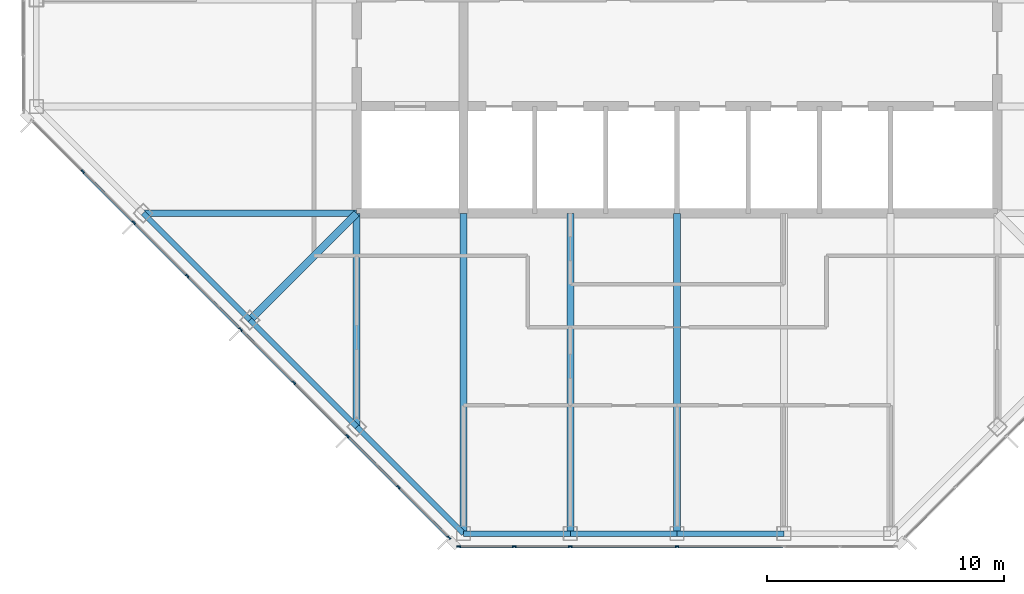
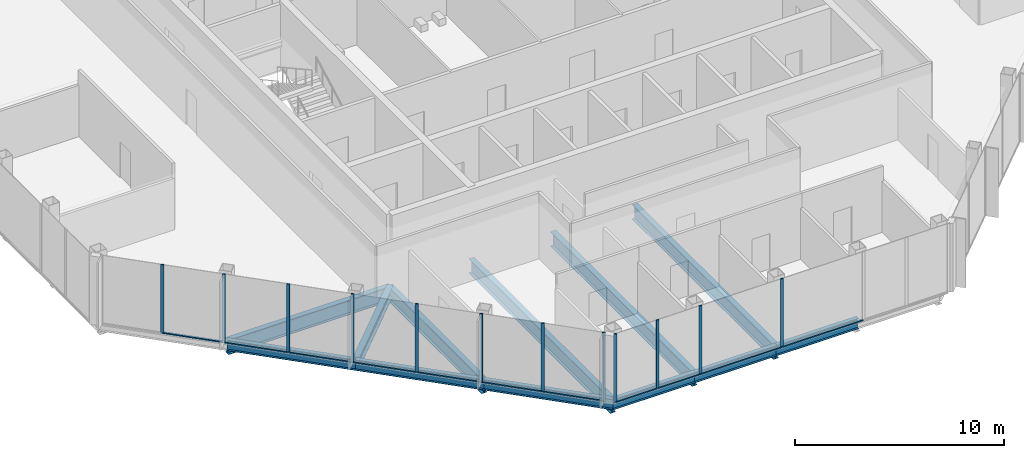
# One storey, part 2 of 13: 23 members, 12 beams, 2 elements without a shape of their own.
"""IFC4 building model written with IfcOpenShell, lengths in metres."""

from ifc_helpers import new_model, si_unit, direction, frame, origin, origin_2d, place, context, subcontext, project, spatial, rectangle, i_section, extrude, material, material_profile, profile_set, type_object, element, aggregate, save


model = new_model("IFC4")

# Units and contexts
model_context = context("Model", 3, precision=1e-05, world=origin(), true_north=direction((0.0, 1.0)))
body_context = subcontext(model_context, "Body", "Model", "MODEL_VIEW")
ifc_project = project(units=[si_unit("LENGTHUNIT", "METRE"), si_unit("AREAUNIT", "SQUARE_METRE"), si_unit("VOLUMEUNIT", "CUBIC_METRE"), si_unit("PLANEANGLEUNIT", "RADIAN"), si_unit("MASSUNIT", "GRAM", prefix="KILO")], contexts=[model_context])

# Site, building, storey
site_placement = place(None, origin())
site = spatial("IfcSite", under=ifc_project, at=site_placement, CompositionType="ELEMENT")
building_placement = place(site_placement, origin())
building = spatial("IfcBuilding", under=site, at=building_placement, Name="Corais Broadcast Tower", CompositionType="ELEMENT")
storey_placement = place(building_placement, frame((0.0, 0.0, 270.60009765625)))
storey = spatial("IfcBuildingStorey", under=building, at=storey_placement, Name="L63", CompositionType="ELEMENT", Elevation=270.60009765625)

# Beams
ifc_material_1 = material(Name="Steel ASTM A572 Grade 50", Category="steel")
ifc_material_profile_1 = material_profile(ifc_material_1, i_section(OverallWidth=0.323974609375, OverallDepth=0.611083984375, WebThickness=0.0126953125, FlangeThickness=0.01904296875, at=origin_2d()), Name="W610x155")
ifc_profile_set_1 = profile_set([ifc_material_profile_1], Name="Steel ASTM A572 Grade 50")
beam_type_1 = type_object("IfcBeamType", Name="Corner diagonal W610x155", PredefinedType="BEAM", material=ifc_profile_set_1)
beam_1_placement = place(storey_placement, frame((9.0, 9.0, -0.465576171875), z_axis=(0.707106781187, 0.707106781187, 0.0), x_axis=(-0.707106781187, 0.707106781187, 0.0)))
element("IfcBeam", 1, at=beam_1_placement, inside=storey, type_object=beam_type_1, Name="B6 C/5 to D/6", PredefinedType="BEAM", context=body_context, shape_type="SweptSolid", body=[
    extrude(i_section(OverallWidth=0.323974609375, OverallDepth=0.611083984375, WebThickness=0.0126953125, FlangeThickness=0.01904296875, at=origin_2d()), origin(), (0.0, 0.0, 1.0), 6.364013671875),
])
ifc_material_2 = material(Name="Steel ASTM A572 Grade 50", Category="steel")
ifc_material_profile_2 = material_profile(ifc_material_2, i_section(OverallWidth=0.2939453125, OverallDepth=0.85107421875, WebThickness=0.01611328125, FlangeThickness=0.02685546875, at=origin_2d()), Name="W840x226")
ifc_profile_set_2 = profile_set([ifc_material_profile_2], Name="Steel ASTM A572 Grade 50")
beam_type_2 = type_object("IfcBeamType", Name="Floor beam W840x226", PredefinedType="BEAM", material=ifc_profile_set_2)
beam_2_placement = place(storey_placement, frame((13.5, 4.5, -0.585693359375), z_axis=(0.0, 1.0, 0.0), x_axis=(-1.0, 0.0, 0.0)))
element("IfcBeam", 2, at=beam_2_placement, inside=storey, type_object=beam_type_2, Name="B1 B/6 to D/6", PredefinedType="BEAM", context=body_context, shape_type="SweptSolid", body=[
    extrude(i_section(OverallWidth=0.2939453125, OverallDepth=0.85107421875, WebThickness=0.01611328125, FlangeThickness=0.02685546875, at=origin_2d()), origin(), (0.0, 0.0, 1.0), 9.0),
])
for number, where, z_axis, x_axis, name in (
    (3, (18.0, 0.0, -0.585693359375), (0.0, 1.0, 0.0), (-1.0, 0.0, 0.0), "B1 A/7 to D/7"),
    (4, (22.5, 0.0, -0.585693359375), (0.0, 1.0, 0.0), (-1.0, 0.0, 0.0), "B1 A/8 to D/8"),
    (5, (27.0, 0.0, -0.585693359375), (0.0, 1.0, 0.0), (-1.0, 0.0, 0.0), "B1 A/9 to D/9"),
):
    element("IfcBeam", number, at=place(storey_placement, frame(where, z_axis=z_axis, x_axis=x_axis)), inside=storey, type_object=beam_type_2, Name=name, PredefinedType="BEAM", context=body_context, shape_type="SweptSolid", body=[
        extrude(i_section(OverallWidth=0.2939453125, OverallDepth=0.85107421875, WebThickness=0.01611328125, FlangeThickness=0.02685546875, at=origin_2d()), origin(), (0.0, 0.0, 1.0), 13.5),
    ])
beam_3_placement = place(storey_placement, frame((4.5, 13.5, -0.585693359375), z_axis=(1.0, 0.0, 0.0), x_axis=(0.0, 1.0, 0.0)))
element("IfcBeam", 6, at=beam_3_placement, inside=storey, type_object=beam_type_2, Name="B1 D/4 to D/6", PredefinedType="BEAM", context=body_context, shape_type="SweptSolid", body=[
    extrude(i_section(OverallWidth=0.2939453125, OverallDepth=0.85107421875, WebThickness=0.01611328125, FlangeThickness=0.02685546875, at=origin_2d()), origin(), (0.0, 0.0, 1.0), 9.0),
])

# Curtain wall, members
ifc_material_3 = material(Name="Aluminium and glass", Category="aluminium")
curtain_wall_type = type_object("IfcCurtainWallType", Name="Unitised fritted curtain wall CW3", PredefinedType="NOTDEFINED", material=ifc_material_3)
curtain_wall_1_placement = place(storey_placement, origin())
curtain_wall_1 = element("IfcCurtainWall", 7, at=curtain_wall_1_placement, inside=storey, type_object=curtain_wall_type, Name="CW3 curtain wall L63 1", PredefinedType="NOTDEFINED")
ifc_material_4 = material(Name="Aluminium 6063-T6", Category="aluminium")
ifc_material_profile_3 = material_profile(ifc_material_4, rectangle(XDim=0.06494140625, YDim=0.159912109375, at=origin_2d()), Name="Mullion CW3 65x160")
ifc_profile_set_3 = profile_set([ifc_material_profile_3], Name="Aluminium 6063-T6")
member_type_1 = type_object("IfcMemberType", Name="Mullion CW3 65x160", PredefinedType="MULLION", material=ifc_profile_set_3)
member_1_placement = place(storey_placement, frame((17.3955078125, -0.17333984375, 0.0), z_axis=(0.0, 0.0, 1.0), x_axis=(-0.707106781187, -0.707106781187, 0.0)))
member_1 = element("IfcMember", 8, at=member_1_placement, type_object=member_type_1, Name="CW3 mullion 1", PredefinedType="MULLION", context=body_context, shape_type="SweptSolid", body=[
    extrude(rectangle(XDim=0.06494140625, YDim=0.159912109375, at=origin_2d()), origin(), (0.0, 0.0, 1.0), 4.0),
])
member_2_placement = place(storey_placement, frame((15.264892578125, 1.957275390625, 0.0), z_axis=(0.0, 0.0, 1.0), x_axis=(-0.707106781187, -0.707106781187, 0.0)))
member_2 = element("IfcMember", 9, at=member_2_placement, type_object=member_type_1, Name="CW3 mullion 2", PredefinedType="MULLION", context=body_context, shape_type="SweptSolid", body=[
    extrude(rectangle(XDim=0.06494140625, YDim=0.159912109375, at=origin_2d()), origin(), (0.0, 0.0, 1.0), 4.0),
])
member_3_placement = place(storey_placement, frame((13.111083984375, 4.111083984375, 0.0), z_axis=(0.0, 0.0, 1.0), x_axis=(-0.707106781187, -0.707106781187, 0.0)))
member_3 = element("IfcMember", 10, at=member_3_placement, type_object=member_type_1, Name="CW3 mullion 3", PredefinedType="MULLION", context=body_context, shape_type="SweptSolid", body=[
    extrude(rectangle(XDim=0.06494140625, YDim=0.159912109375, at=origin_2d()), origin(), (0.0, 0.0, 1.0), 4.0),
])
member_4_placement = place(storey_placement, frame((10.861083984375, 6.361083984375, 0.0), z_axis=(0.0, 0.0, 1.0), x_axis=(-0.707106781187, -0.707106781187, 0.0)))
member_4 = element("IfcMember", 11, at=member_4_placement, type_object=member_type_1, Name="CW3 mullion 4", PredefinedType="MULLION", context=body_context, shape_type="SweptSolid", body=[
    extrude(rectangle(XDim=0.06494140625, YDim=0.159912109375, at=origin_2d()), origin(), (0.0, 0.0, 1.0), 4.0),
])
member_5_placement = place(storey_placement, frame((8.611083984375, 8.611083984375, 0.0), z_axis=(0.0, 0.0, 1.0), x_axis=(-0.707106781187, -0.707106781187, 0.0)))
member_5 = element("IfcMember", 12, at=member_5_placement, type_object=member_type_1, Name="CW3 mullion 5", PredefinedType="MULLION", context=body_context, shape_type="SweptSolid", body=[
    extrude(rectangle(XDim=0.06494140625, YDim=0.159912109375, at=origin_2d()), origin(), (0.0, 0.0, 1.0), 4.0),
])
member_6_placement = place(storey_placement, frame((6.361083984375, 10.861083984375, 0.0), z_axis=(0.0, 0.0, 1.0), x_axis=(-0.707106781187, -0.707106781187, 0.0)))
member_6 = element("IfcMember", 13, at=member_6_placement, type_object=member_type_1, Name="CW3 mullion 6", PredefinedType="MULLION", context=body_context, shape_type="SweptSolid", body=[
    extrude(rectangle(XDim=0.06494140625, YDim=0.159912109375, at=origin_2d()), origin(), (0.0, 0.0, 1.0), 4.0),
])
member_7_placement = place(storey_placement, frame((4.111083984375, 13.111083984375, 0.0), z_axis=(0.0, 0.0, 1.0), x_axis=(-0.707106781187, -0.707106781187, 0.0)))
member_7 = element("IfcMember", 14, at=member_7_placement, type_object=member_type_1, Name="CW3 mullion 7", PredefinedType="MULLION", context=body_context, shape_type="SweptSolid", body=[
    extrude(rectangle(XDim=0.06494140625, YDim=0.159912109375, at=origin_2d()), origin(), (0.0, 0.0, 1.0), 4.0),
])
member_8_placement = place(storey_placement, frame((1.957275390625, 15.264892578125, 0.0), z_axis=(0.0, 0.0, 1.0), x_axis=(-0.707106781187, -0.707106781187, 0.0)))
member_8 = element("IfcMember", 15, at=member_8_placement, type_object=member_type_1, Name="CW3 mullion 8", PredefinedType="MULLION", context=body_context, shape_type="SweptSolid", body=[
    extrude(rectangle(XDim=0.06494140625, YDim=0.159912109375, at=origin_2d()), origin(), (0.0, 0.0, 1.0), 4.0),
])

curtain_wall_2_placement = place(storey_placement, origin())
curtain_wall_2 = element("IfcCurtainWall", 16, at=curtain_wall_2_placement, inside=storey, type_object=curtain_wall_type, Name="CW3 curtain wall L63 8", PredefinedType="NOTDEFINED")
member_9_placement = place(storey_placement, frame((27.0, -0.550048828125, 0.0), z_axis=(0.0, 0.0, 1.0), x_axis=(0.0, -1.0, 0.0)))
member_9 = element("IfcMember", 17, at=member_9_placement, type_object=member_type_1, Name="CW3 mullion 4", PredefinedType="MULLION", context=body_context, shape_type="SweptSolid", body=[
    extrude(rectangle(XDim=0.06494140625, YDim=0.159912109375, at=origin_2d()), origin(), (0.0, 0.0, 1.0), 4.0),
])
member_10_placement = place(storey_placement, frame((22.5, -0.550048828125, 0.0), z_axis=(0.0, 0.0, 1.0), x_axis=(0.0, -1.0, 0.0)))
member_10 = element("IfcMember", 18, at=member_10_placement, type_object=member_type_1, Name="CW3 mullion 5", PredefinedType="MULLION", context=body_context, shape_type="SweptSolid", body=[
    extrude(rectangle(XDim=0.06494140625, YDim=0.159912109375, at=origin_2d()), origin(), (0.0, 0.0, 1.0), 4.0),
])
member_11_placement = place(storey_placement, frame((20.135986328125, -0.550048828125, 0.0), z_axis=(0.0, 0.0, 1.0), x_axis=(0.0, -1.0, 0.0)))
member_11 = element("IfcMember", 19, at=member_11_placement, type_object=member_type_1, Name="CW3 mullion 6", PredefinedType="MULLION", context=body_context, shape_type="SweptSolid", body=[
    extrude(rectangle(XDim=0.06494140625, YDim=0.159912109375, at=origin_2d()), origin(), (0.0, 0.0, 1.0), 4.0),
])
member_12_placement = place(storey_placement, frame((17.8046875, -0.550048828125, 0.0), z_axis=(0.0, 0.0, 1.0), x_axis=(0.0, -1.0, 0.0)))
member_12 = element("IfcMember", 20, at=member_12_placement, type_object=member_type_1, Name="CW3 mullion 7", PredefinedType="MULLION", context=body_context, shape_type="SweptSolid", body=[
    extrude(rectangle(XDim=0.06494140625, YDim=0.159912109375, at=origin_2d()), origin(), (0.0, 0.0, 1.0), 4.0),
])

# Beams
ifc_material_5 = material(Name="Steel ASTM A572 Grade 50", Category="steel")
ifc_material_profile_4 = material_profile(ifc_material_5, i_section(OverallWidth=0.22998046875, OverallDepth=0.616943359375, WebThickness=0.01318359375, FlangeThickness=0.022216796875, at=origin_2d()), Name="W610x140")
ifc_profile_set_4 = profile_set([ifc_material_profile_4], Name="Steel ASTM A572 Grade 50")
beam_type_3 = type_object("IfcBeamType", Name="Spandrel W610x140", PredefinedType="BEAM", material=ifc_profile_set_4)
beam_4_placement = place(storey_placement, frame((13.5, 4.5, -0.468505859375), z_axis=(0.707106781187, -0.707106781187, 0.0), x_axis=(0.707106781187, 0.707106781187, 0.0)))
element("IfcBeam", 21, at=beam_4_placement, inside=storey, type_object=beam_type_3, Name="SB3 B/6 to A/7", PredefinedType="BEAM", context=body_context, shape_type="SweptSolid", body=[
    extrude(i_section(OverallWidth=0.22998046875, OverallDepth=0.616943359375, WebThickness=0.01318359375, FlangeThickness=0.022216796875, at=origin_2d()), origin(), (0.0, 0.0, 1.0), 6.364013671875),
])
for number, where, z_axis, x_axis, name in (
    (22, (18.0, 0.0, -0.468505859375), (1.0, 0.0, 0.0), (0.0, 1.0, 0.0), "SB3 A/7 to A/8"),
    (23, (22.5, 0.0, -0.468505859375), (1.0, 0.0, 0.0), (0.0, 1.0, 0.0), "SB3 A/8 to A/9"),
    (24, (27.0, 0.0, -0.468505859375), (1.0, 0.0, 0.0), (0.0, 1.0, 0.0), "SB3 A/9 to A/10"),
):
    element("IfcBeam", number, at=place(storey_placement, frame(where, z_axis=z_axis, x_axis=x_axis)), inside=storey, type_object=beam_type_3, Name=name, PredefinedType="BEAM", context=body_context, shape_type="SweptSolid", body=[
        extrude(i_section(OverallWidth=0.22998046875, OverallDepth=0.616943359375, WebThickness=0.01318359375, FlangeThickness=0.022216796875, at=origin_2d()), origin(), (0.0, 0.0, 1.0), 4.5),
    ])
for number, where, z_axis, x_axis, name in (
    (25, (4.5, 13.5, -0.468505859375), (0.707106781187, -0.707106781187, 0.0), (0.707106781187, 0.707106781187, 0.0), "SB3 D/4 to C/5"),
    (26, (9.0, 9.0, -0.468505859375), (0.707106781187, -0.707106781187, 0.0), (0.707106781187, 0.707106781187, 0.0), "SB3 C/5 to B/6"),
):
    element("IfcBeam", number, at=place(storey_placement, frame(where, z_axis=z_axis, x_axis=x_axis)), inside=storey, type_object=beam_type_3, Name=name, PredefinedType="BEAM", context=body_context, shape_type="SweptSolid", body=[
        extrude(i_section(OverallWidth=0.22998046875, OverallDepth=0.616943359375, WebThickness=0.01318359375, FlangeThickness=0.022216796875, at=origin_2d()), origin(), (0.0, 0.0, 1.0), 6.364013671875),
    ])

# Member
ifc_material_6 = material(Name="Aluminium 6063-T6", Category="aluminium")
ifc_material_profile_5 = material_profile(ifc_material_6, rectangle(XDim=0.1201171875, YDim=0.06494140625, at=origin_2d()), Name="Transom CW3 65x120")
ifc_profile_set_5 = profile_set([ifc_material_profile_5], Name="Aluminium 6063-T6")
member_type_2 = type_object("IfcMemberType", Name="Transom CW3 65x120", PredefinedType="USERDEFINED", material=ifc_profile_set_5)
member_13_placement = place(storey_placement, frame((17.37255859375, -0.150390625, 0.032470703125), z_axis=(-0.707106781187, 0.707106781187, 0.0), x_axis=(-0.707106781187, -0.707106781187, 0.0)))
member_13 = element("IfcMember", 27, at=member_13_placement, type_object=member_type_2, Name="CW3 transom 1.1", ObjectType="TRANSOM", PredefinedType="USERDEFINED", context=body_context, shape_type="SweptSolid", body=[
    extrude(rectangle(XDim=0.1201171875, YDim=0.06494140625, at=origin_2d()), origin(), (0.0, 0.0, 1.0), 2.9482421875),
])

member_14_placement = place(storey_placement, frame((15.241943359375, 1.980224609375, 0.032470703125), z_axis=(-0.707106781187, 0.707106781187, 0.0), x_axis=(-0.707106781187, -0.707106781187, 0.0)))
member_14 = element("IfcMember", 28, at=member_14_placement, type_object=member_type_2, Name="CW3 transom 2.1", ObjectType="TRANSOM", PredefinedType="USERDEFINED", context=body_context, shape_type="SweptSolid", body=[
    extrude(rectangle(XDim=0.1201171875, YDim=0.06494140625, at=origin_2d()), origin(), (0.0, 0.0, 1.0), 2.98095703125),
])

member_15_placement = place(storey_placement, frame((13.088134765625, 4.134033203125, 0.032470703125), z_axis=(-0.707106781187, 0.707106781187, 0.0), x_axis=(-0.707106781187, -0.707106781187, 0.0)))
member_15 = element("IfcMember", 29, at=member_15_placement, type_object=member_type_2, Name="CW3 transom 3.1", ObjectType="TRANSOM", PredefinedType="USERDEFINED", context=body_context, shape_type="SweptSolid", body=[
    extrude(rectangle(XDim=0.1201171875, YDim=0.06494140625, at=origin_2d()), origin(), (0.0, 0.0, 1.0), 3.1171875),
])

member_16_placement = place(storey_placement, frame((10.838134765625, 6.384033203125, 0.032470703125), z_axis=(-0.707106781187, 0.707106781187, 0.0), x_axis=(-0.707106781187, -0.707106781187, 0.0)))
member_16 = element("IfcMember", 30, at=member_16_placement, type_object=member_type_2, Name="CW3 transom 4.1", ObjectType="TRANSOM", PredefinedType="USERDEFINED", context=body_context, shape_type="SweptSolid", body=[
    extrude(rectangle(XDim=0.1201171875, YDim=0.06494140625, at=origin_2d()), origin(), (0.0, 0.0, 1.0), 3.1171875),
])

member_17_placement = place(storey_placement, frame((8.588134765625, 8.634033203125, 0.032470703125), z_axis=(-0.707106781187, 0.707106781187, 0.0), x_axis=(-0.707106781187, -0.707106781187, 0.0)))
member_17 = element("IfcMember", 31, at=member_17_placement, type_object=member_type_2, Name="CW3 transom 5.1", ObjectType="TRANSOM", PredefinedType="USERDEFINED", context=body_context, shape_type="SweptSolid", body=[
    extrude(rectangle(XDim=0.1201171875, YDim=0.06494140625, at=origin_2d()), origin(), (0.0, 0.0, 1.0), 3.1171875),
])

member_18_placement = place(storey_placement, frame((6.338134765625, 10.884033203125, 0.032470703125), z_axis=(-0.707106781187, 0.707106781187, 0.0), x_axis=(-0.707106781187, -0.707106781187, 0.0)))
member_18 = element("IfcMember", 32, at=member_18_placement, type_object=member_type_2, Name="CW3 transom 6.1", ObjectType="TRANSOM", PredefinedType="USERDEFINED", context=body_context, shape_type="SweptSolid", body=[
    extrude(rectangle(XDim=0.1201171875, YDim=0.06494140625, at=origin_2d()), origin(), (0.0, 0.0, 1.0), 3.1171875),
])

member_19_placement = place(storey_placement, frame((4.088134765625, 13.134033203125, 0.032470703125), z_axis=(-0.707065828661, 0.70714773134, 0.0), x_axis=(-0.70714773134, -0.707065828661, 0.0)))
member_19 = element("IfcMember", 33, at=member_19_placement, type_object=member_type_2, Name="CW3 transom 7.1", ObjectType="TRANSOM", PredefinedType="USERDEFINED", context=body_context, shape_type="SweptSolid", body=[
    extrude(rectangle(XDim=0.1201171875, YDim=0.06494140625, at=origin_2d()), origin(), (0.0, 0.0, 1.0), 2.98095703125),
])

aggregate(curtain_wall_1, [member_1, member_2, member_3, member_4, member_5, member_6, member_7, member_8, member_13, member_14, member_15, member_16, member_17, member_18, member_19])

member_20_placement = place(storey_placement, frame((31.467529296875, -0.550048828125, 0.032470703125), z_axis=(-1.0, 0.0, 0.0), x_axis=(0.0, -1.0, 0.0)))
member_20 = element("IfcMember", 34, at=member_20_placement, type_object=member_type_2, Name="CW3 transom 3.1", ObjectType="TRANSOM", PredefinedType="USERDEFINED", context=body_context, shape_type="SweptSolid", body=[
    extrude(rectangle(XDim=0.1201171875, YDim=0.06494140625, at=origin_2d()), origin(), (0.0, 0.0, 1.0), 4.43505859375),
])

member_21_placement = place(storey_placement, frame((26.967529296875, -0.550048828125, 0.032470703125), z_axis=(-1.0, 0.0, 0.0), x_axis=(0.0, -1.0, 0.0)))
member_21 = element("IfcMember", 35, at=member_21_placement, type_object=member_type_2, Name="CW3 transom 4.1", ObjectType="TRANSOM", PredefinedType="USERDEFINED", context=body_context, shape_type="SweptSolid", body=[
    extrude(rectangle(XDim=0.1201171875, YDim=0.06494140625, at=origin_2d()), origin(), (0.0, 0.0, 1.0), 4.43505859375),
])

member_22_placement = place(storey_placement, frame((22.467529296875, -0.550048828125, 0.032470703125), z_axis=(-1.0, 0.0, 0.0), x_axis=(0.0, -1.0, 0.0)))
member_22 = element("IfcMember", 36, at=member_22_placement, type_object=member_type_2, Name="CW3 transom 5.1", ObjectType="TRANSOM", PredefinedType="USERDEFINED", context=body_context, shape_type="SweptSolid", body=[
    extrude(rectangle(XDim=0.1201171875, YDim=0.06494140625, at=origin_2d()), origin(), (0.0, 0.0, 1.0), 2.298828125),
])

member_23_placement = place(storey_placement, frame((20.103515625, -0.550048828125, 0.032470703125), z_axis=(-1.0, 0.0, 0.0), x_axis=(0.0, -1.0, 0.0)))
member_23 = element("IfcMember", 37, at=member_23_placement, type_object=member_type_2, Name="CW3 transom 6.1", ObjectType="TRANSOM", PredefinedType="USERDEFINED", context=body_context, shape_type="SweptSolid", body=[
    extrude(rectangle(XDim=0.1201171875, YDim=0.06494140625, at=origin_2d()), origin(), (0.0, 0.0, 1.0), 2.266357421875),
])

aggregate(curtain_wall_2, [member_9, member_10, member_11, member_12, member_20, member_21, member_22, member_23])

save(model, "model.ifc")
